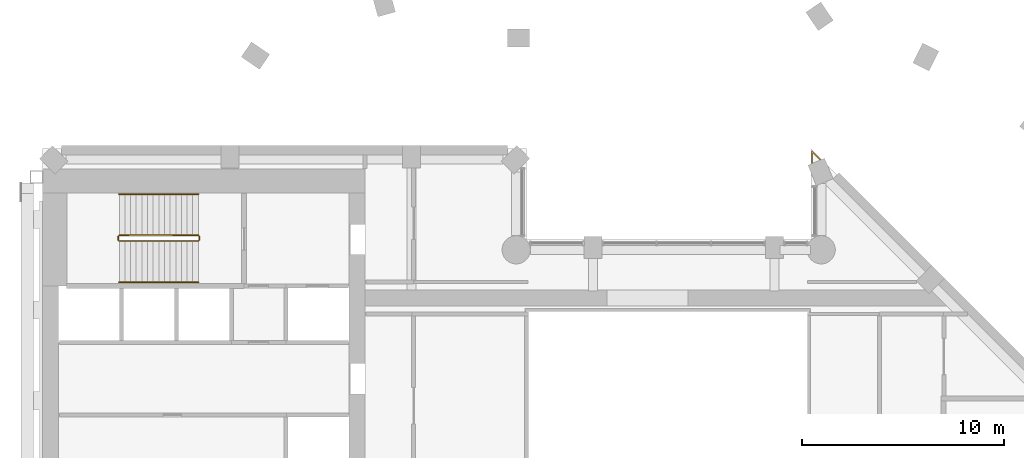
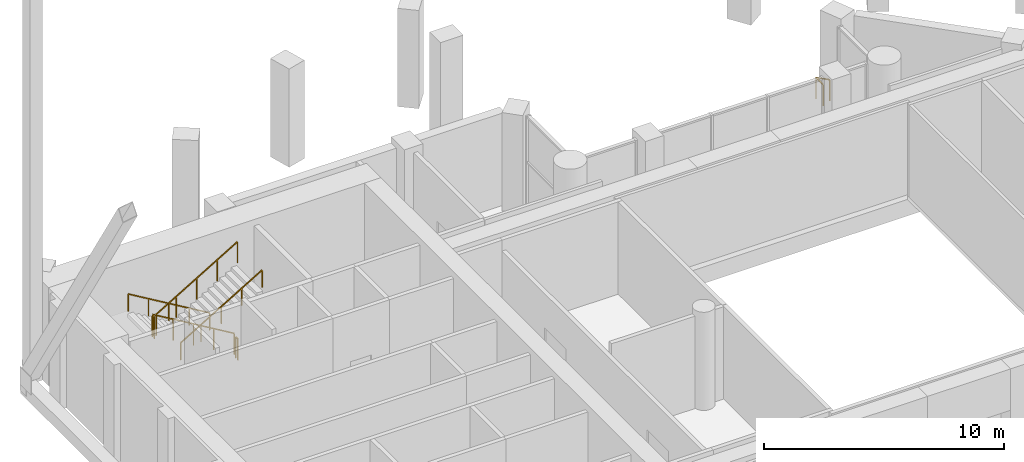
# One storey, part 12 of 12: 7 railings.
"""IFC4 building model written with IfcOpenShell, lengths in metres."""

from ifc_helpers import new_model, si_unit, direction, frame, origin, origin_2d, place, context, subcontext, project, spatial, rectangle, extrude, material, type_object, element, save


model = new_model("IFC4")

# Units and contexts
model_context = context("Model", 3, precision=1e-05, world=origin(), true_north=direction((0.0, 1.0)))
body_context = subcontext(model_context, "Body", "Model", "MODEL_VIEW")
ifc_project = project(units=[si_unit("LENGTHUNIT", "METRE"), si_unit("AREAUNIT", "SQUARE_METRE"), si_unit("VOLUMEUNIT", "CUBIC_METRE"), si_unit("PLANEANGLEUNIT", "RADIAN"), si_unit("MASSUNIT", "GRAM", prefix="KILO")], contexts=[model_context])

# Site, building, storey
site_placement = place(None, origin())
site = spatial("IfcSite", under=ifc_project, at=site_placement, CompositionType="ELEMENT")
building_placement = place(site_placement, origin())
building = spatial("IfcBuilding", under=site, at=building_placement, Name="Cypress Arch Tower", CompositionType="ELEMENT")
storey_placement = place(building_placement, frame((0.0, 0.0, 238.39990234375)))
storey = spatial("IfcBuildingStorey", under=building, at=storey_placement, Name="L53", CompositionType="ELEMENT", Elevation=238.39990234375)

# Railings
ifc_material_1 = material(Name="Powder-coated steel posts and rods, 100 mm clear between rods", Category="steel")
railing_type_1 = type_object("IfcRailingType", Name="Corner guard GR1100C", PredefinedType="GUARDRAIL", material=ifc_material_1)
railing_1_placement = place(storey_placement, frame((8.14990234375, 16.290771484375, 0.0)))
element("IfcRailing", 1, at=railing_1_placement, inside=storey, type_object=railing_type_1, Name="Corner guard L53 7", PredefinedType="GUARDRAIL", context=body_context, shape_type="SweptSolid", body=[
    extrude(rectangle(XDim=0.050048828125, YDim=0.050048828125, at=origin_2d()), frame((0.0, 0.0, 1.0751953125), z_axis=(0.0, 1.0, 0.0), x_axis=(-1.0, 0.0, 0.0)), (0.0, 0.0, 1.0), 0.588623046875),
    extrude(rectangle(XDim=0.050048828125, YDim=0.050048828125, at=origin_2d()), frame((0.0, 0.588623046875, 1.0751953125), z_axis=(0.707106781187, -0.707106781187, 0.0), x_axis=(0.707106781187, 0.707106781187, 0.0)), (0.0, 0.0, 1.0), 0.588623046875),
    extrude(rectangle(XDim=0.0400390625, YDim=0.0400390625, at=origin_2d()), origin(), (0.0, 0.0, 1.0), 1.050048828125),
    extrude(rectangle(XDim=0.0400390625, YDim=0.0400390625, at=origin_2d()), frame((0.0, 0.588623046875, 0.0)), (0.0, 0.0, 1.0), 1.050048828125),
    extrude(rectangle(XDim=0.0400390625, YDim=0.0400390625, at=origin_2d()), frame((0.416259765625, 0.17236328125, 0.0)), (0.0, 0.0, 1.0), 1.050048828125),
])
ifc_material_2 = material(Name="Black powder-coated steel square bar 48 mm", Category="steel")
railing_type_2 = type_object("IfcRailingType", Name="Stair handrail HR1", PredefinedType="HANDRAIL", material=ifc_material_2)
railing_2_placement = place(storey_placement, frame((-22.27490234375, 14.75, 0.166748046875)))
element("IfcRailing", 2, at=railing_2_placement, inside=storey, type_object=railing_type_2, Name="L53 B stair handrail 1", PredefinedType="HANDRAIL", context=body_context, shape_type="SweptSolid", body=[
    extrude(rectangle(XDim=0.048095703125, YDim=0.048095703125, at=origin_2d()), frame((0.0, 0.0, 0.8759765625), z_axis=(-0.859310244771, 0.0, 0.511454693235), x_axis=(0.0, -1.0, 0.0)), (0.0, 0.0, 1.0), 4.56201171875),
    extrude(rectangle(XDim=0.0419921875, YDim=0.0419921875, at=origin_2d()), origin(), (0.0, 0.0, 1.0), 0.851806640625),
    extrude(rectangle(XDim=0.0419921875, YDim=0.0419921875, at=origin_2d()), frame((-0.97998046875, 0.0, 0.583251953125)), (0.0, 0.0, 1.0), 0.851806640625),
    extrude(rectangle(XDim=0.0419921875, YDim=0.0419921875, at=origin_2d()), frame((-1.9599609375, 0.0, 1.16650390625)), (0.0, 0.0, 1.0), 0.851806640625),
    extrude(rectangle(XDim=0.0419921875, YDim=0.0419921875, at=origin_2d()), frame((-2.940185546875, 0.0, 1.75)), (0.0, 0.0, 1.0), 0.851806640625),
    extrude(rectangle(XDim=0.0419921875, YDim=0.0419921875, at=origin_2d()), frame((-3.920166015625, 0.0, 2.333251953125)), (0.0, 0.0, 1.0), 0.851806640625),
])
railing_3_placement = place(storey_placement, frame((-26.195068359375, 10.375, 2.666748046875)))
element("IfcRailing", 3, at=railing_3_placement, inside=storey, type_object=railing_type_2, Name="L53 B stair handrail 2", PredefinedType="HANDRAIL", context=body_context, shape_type="SweptSolid", body=[
    extrude(rectangle(XDim=0.048095703125, YDim=0.048095703125, at=origin_2d()), frame((0.0, 0.0, 0.8759765625), z_axis=(0.859310244771, 0.0, 0.511454693235), x_axis=(0.0, 1.0, 0.0)), (0.0, 0.0, 1.0), 4.56201171875),
    extrude(rectangle(XDim=0.0419921875, YDim=0.0419921875, at=origin_2d()), origin(), (0.0, 0.0, 1.0), 0.851806640625),
    extrude(rectangle(XDim=0.0419921875, YDim=0.0419921875, at=origin_2d()), frame((0.97998046875, 0.0, 0.583251953125)), (0.0, 0.0, 1.0), 0.851806640625),
    extrude(rectangle(XDim=0.0419921875, YDim=0.0419921875, at=origin_2d()), frame((1.9599609375, 0.0, 1.16650390625)), (0.0, 0.0, 1.0), 0.851806640625),
    extrude(rectangle(XDim=0.0419921875, YDim=0.0419921875, at=origin_2d()), frame((2.940185546875, 0.0, 1.75)), (0.0, 0.0, 1.0), 0.851806640625),
    extrude(rectangle(XDim=0.0419921875, YDim=0.0419921875, at=origin_2d()), frame((3.920166015625, 0.0, 2.333251953125)), (0.0, 0.0, 1.0), 0.851806640625),
])
ifc_material_3 = material(Name="Black powder-coated steel balusters", Category="steel")
railing_type_3 = type_object("IfcRailingType", Name="Stair well guard G1", PredefinedType="GUARDRAIL", material=ifc_material_3)
railing_4_placement = place(storey_placement, frame((-22.27490234375, 12.699951171875, 0.166748046875)))
element("IfcRailing", 4, at=railing_4_placement, inside=storey, type_object=railing_type_3, Name="L53 B stair guard 1", PredefinedType="GUARDRAIL", context=body_context, shape_type="SweptSolid", body=[
    extrude(rectangle(XDim=0.048095703125, YDim=0.048095703125, at=origin_2d()), frame((0.0, 0.0, 1.076171875), z_axis=(-0.859310244771, 0.0, 0.511454693235), x_axis=(0.0, -1.0, 0.0)), (0.0, 0.0, 1.0), 4.56201171875),
    extrude(rectangle(XDim=0.0419921875, YDim=0.0419921875, at=origin_2d()), origin(), (0.0, 0.0, 1.0), 1.052001953125),
    extrude(rectangle(XDim=0.0419921875, YDim=0.0419921875, at=origin_2d()), frame((-0.97998046875, 0.0, 0.583251953125)), (0.0, 0.0, 1.0), 1.052001953125),
    extrude(rectangle(XDim=0.0419921875, YDim=0.0419921875, at=origin_2d()), frame((-1.9599609375, 0.0, 1.16650390625)), (0.0, 0.0, 1.0), 1.052001953125),
    extrude(rectangle(XDim=0.0419921875, YDim=0.0419921875, at=origin_2d()), frame((-2.940185546875, 0.0, 1.75)), (0.0, 0.0, 1.0), 1.052001953125),
    extrude(rectangle(XDim=0.0419921875, YDim=0.0419921875, at=origin_2d()), frame((-3.920166015625, 0.0, 2.333251953125)), (0.0, 0.0, 1.0), 1.052001953125),
])
railing_5_placement = place(storey_placement, frame((-26.2451171875, 12.64990234375, 2.5)))
element("IfcRailing", 5, at=railing_5_placement, inside=storey, type_object=railing_type_3, Name="L53 B stair guard 2", PredefinedType="GUARDRAIL", context=body_context, shape_type="SweptSolid", body=[
    extrude(rectangle(XDim=0.048095703125, YDim=0.048095703125, at=origin_2d()), frame((0.0, 0.0, 1.076171875), z_axis=(0.0, -1.0, 0.0), x_axis=(1.0, 0.0, 0.0)), (0.0, 0.0, 1.0), 0.1748046875),
    extrude(rectangle(XDim=0.0419921875, YDim=0.0419921875, at=origin_2d()), origin(), (0.0, 0.0, 1.0), 1.052001953125),
    extrude(rectangle(XDim=0.0419921875, YDim=0.0419921875, at=origin_2d()), frame((0.0, -0.1748046875, 0.0)), (0.0, 0.0, 1.0), 1.052001953125),
])
railing_6_placement = place(storey_placement, frame((-26.195068359375, 12.425048828125, 2.666748046875)))
element("IfcRailing", 6, at=railing_6_placement, inside=storey, type_object=railing_type_3, Name="L53 B stair guard 3", PredefinedType="GUARDRAIL", context=body_context, shape_type="SweptSolid", body=[
    extrude(rectangle(XDim=0.048095703125, YDim=0.048095703125, at=origin_2d()), frame((0.0, 0.0, 1.076171875), z_axis=(0.859310244771, 0.0, 0.511454693235), x_axis=(0.0, 1.0, 0.0)), (0.0, 0.0, 1.0), 4.56201171875),
    extrude(rectangle(XDim=0.0419921875, YDim=0.0419921875, at=origin_2d()), origin(), (0.0, 0.0, 1.0), 1.052001953125),
    extrude(rectangle(XDim=0.0419921875, YDim=0.0419921875, at=origin_2d()), frame((0.97998046875, 0.0, 0.583251953125)), (0.0, 0.0, 1.0), 1.052001953125),
    extrude(rectangle(XDim=0.0419921875, YDim=0.0419921875, at=origin_2d()), frame((1.9599609375, 0.0, 1.16650390625)), (0.0, 0.0, 1.0), 1.052001953125),
    extrude(rectangle(XDim=0.0419921875, YDim=0.0419921875, at=origin_2d()), frame((2.940185546875, 0.0, 1.75)), (0.0, 0.0, 1.0), 1.052001953125),
    extrude(rectangle(XDim=0.0419921875, YDim=0.0419921875, at=origin_2d()), frame((3.920166015625, 0.0, 2.333251953125)), (0.0, 0.0, 1.0), 1.052001953125),
])
railing_7_placement = place(storey_placement, frame((-22.22509765625, 12.64990234375, 0.0)))
element("IfcRailing", 7, at=railing_7_placement, inside=storey, type_object=railing_type_3, Name="L53 B stair guard 4", PredefinedType="GUARDRAIL", context=body_context, shape_type="SweptSolid", body=[
    extrude(rectangle(XDim=0.048095703125, YDim=0.048095703125, at=origin_2d()), frame((0.0, 0.0, 1.076171875), z_axis=(0.0, -1.0, 0.0), x_axis=(1.0, 0.0, 0.0)), (0.0, 0.0, 1.0), 0.1748046875),
    extrude(rectangle(XDim=0.0419921875, YDim=0.0419921875, at=origin_2d()), origin(), (0.0, 0.0, 1.0), 1.052001953125),
    extrude(rectangle(XDim=0.0419921875, YDim=0.0419921875, at=origin_2d()), frame((0.0, -0.1748046875, 0.0)), (0.0, 0.0, 1.0), 1.052001953125),
])

save(model, "model.ifc")
